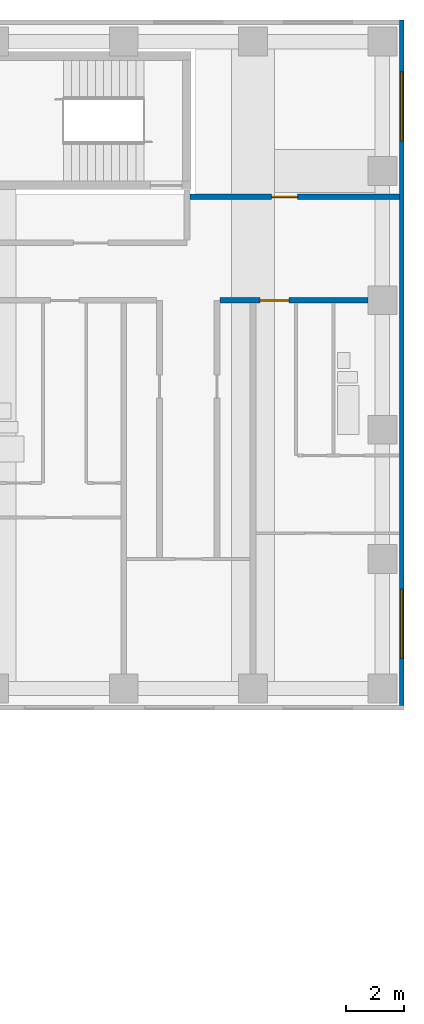
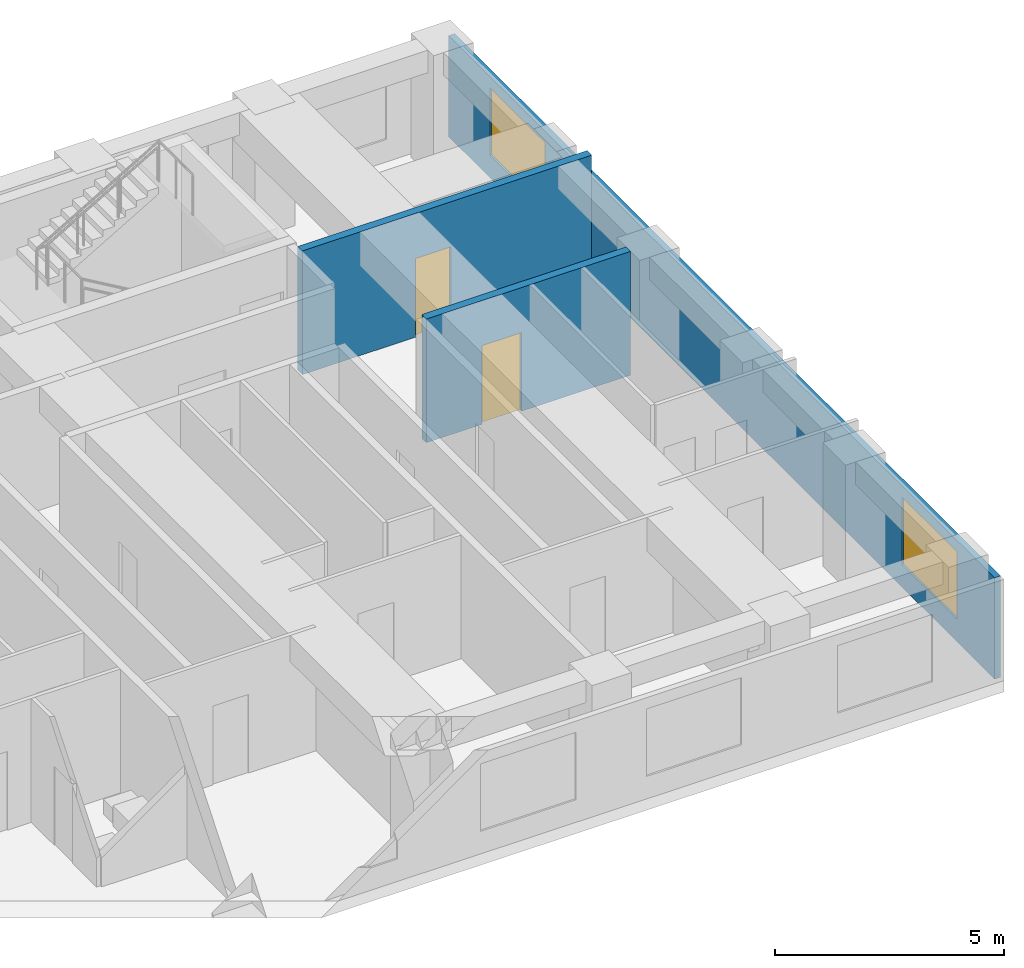
# One storey, part 9 of 12: 3 walls, 2 doors, 2 windows, 4 openings.
"""IFC4 building model written with IfcOpenShell, lengths in metres."""

from ifc_helpers import new_model, si_unit, direction, frame, frame_2d, origin, place, context, subcontext, project, spatial, rectangle, extrude, material, layer, layer_set, type_object, element, fill, save


model = new_model("IFC4")

# Units and contexts
model_context = context("Model", 3, precision=1e-05, world=origin(), true_north=direction((0.0, 1.0)))
body_context = subcontext(model_context, "Body", "Model", "MODEL_VIEW")
ifc_project = project(units=[si_unit("LENGTHUNIT", "METRE"), si_unit("AREAUNIT", "SQUARE_METRE"), si_unit("VOLUMEUNIT", "CUBIC_METRE"), si_unit("PLANEANGLEUNIT", "RADIAN"), si_unit("MASSUNIT", "GRAM", prefix="KILO")], contexts=[model_context])

# Site, building, storey
site_placement = place(None, origin())
site = spatial("IfcSite", under=ifc_project, at=site_placement, CompositionType="ELEMENT")
building_placement = place(site_placement, origin())
building = spatial("IfcBuilding", under=site, at=building_placement, Name="Firuza Court", CompositionType="ELEMENT")
storey_placement = place(building_placement, frame((0.0, 0.0, 123.199951171875)))
storey = spatial("IfcBuildingStorey", under=building, at=storey_placement, Name="L30", CompositionType="ELEMENT", Elevation=123.199951171875)

# Wall, opening, door
ifc_material_1 = material(Name="Blockwork, plastered both sides", Category="masonry")
ifc_layer_1 = layer(ifc_material_1, 0.199951171875)
ifc_layer_set_1 = layer_set([ifc_layer_1], Name="Blockwork, plastered both sides")
wall_type_1 = type_object("IfcWallType", Name="Corridor wall 200", PredefinedType="PARTITIONING", material=ifc_layer_set_1)
wall_1_placement = place(storey_placement, frame((61.85009765625, 49.5, 0.0), z_axis=(0.0, 0.0, 1.0), x_axis=(1.0, 0.0, 0.0)))
wall_1 = element("IfcWall", 1, at=wall_1_placement, inside=storey, type_object=wall_type_1, Name="Corridor wall 200 L30", PredefinedType="PARTITIONING", context=body_context, shape_type="SweptSolid", body=[
    extrude(rectangle(XDim=5.14990234375, YDim=0.199951171875, at=frame_2d((2.574951171875, 0.0))), origin(), (0.0, 0.0, 1.0), 3.300048828125),
])
opening_1_placement = place(wall_1_placement, frame((1.39990234375, 0.0, 0.0)))
opening_1 = element("IfcOpeningElement", 2, at=opening_1_placement, cuts=wall_1, Name="Opening D30070", PredefinedType="OPENING", context=body_context, shape_type="SweptSolid", body=[
    extrude(rectangle(XDim=1.0, YDim=2.10009765625, at=frame_2d((0.5, 1.050048828125))), frame((0.0, 0.11181640625, 0.0), z_axis=(0.0, -1.0, 0.0), x_axis=(1.0, 0.0, 0.0)), (0.0, 0.0, 1.0), 0.223876953125),
])
ifc_material_2 = material(Name="Timber door leaf in hardwood frame", Category="wood")
door_type_1 = type_object("IfcDoorType", Name="Flat entrance door 1000", OperationType="SINGLE_SWING_LEFT", PredefinedType="DOOR", material=ifc_material_2)
door_1_placement = place(opening_1_placement, origin())
door_1 = element("IfcDoor", 3, at=door_1_placement, inside=storey, type_object=door_type_1, Name="Flat entrance door", OperationType="SINGLE_SWING_RIGHT", OverallHeight=2.10009765625, OverallWidth=1.0, PredefinedType="DOOR", context=body_context, shape_type="SweptSolid", body=[
    extrude(rectangle(XDim=1.0, YDim=2.10009765625, at=frame_2d((0.5, 1.050048828125))), frame((0.0, 0.02490234375, 0.0), z_axis=(0.0, -1.0, 0.0), x_axis=(1.0, 0.0, 0.0)), (0.0, 0.0, 1.0), 0.050048828125),
])
fill(opening_1, door_1)

wall_2_placement = place(storey_placement, frame((60.800048828125, 53.10009765625, 0.0), z_axis=(0.0, 0.0, 1.0), x_axis=(1.0, 0.0, 0.0)))
wall_2 = element("IfcWall", 4, at=wall_2_placement, inside=storey, type_object=wall_type_1, Name="Corridor wall 200 L30", PredefinedType="PARTITIONING", context=body_context, shape_type="SweptSolid", body=[
    extrude(rectangle(XDim=7.300048828125, YDim=0.199951171875, at=frame_2d((3.64990234375, 0.0))), origin(), (0.0, 0.0, 1.0), 3.300048828125),
])
opening_2_placement = place(wall_2_placement, frame((2.85009765625, 0.0, 0.0)))
opening_2 = element("IfcOpeningElement", 5, at=opening_2_placement, cuts=wall_2, Name="Opening D30074", PredefinedType="OPENING", context=body_context, shape_type="SweptSolid", body=[
    extrude(rectangle(XDim=0.89990234375, YDim=2.10009765625, at=frame_2d((0.449951171875, 1.050048828125))), frame((0.0, 0.11181640625, 0.0), z_axis=(0.0, -1.0, 0.0), x_axis=(1.0, 0.0, 0.0)), (0.0, 0.0, 1.0), 0.223876953125),
])
ifc_material_3 = material(Name="Timber door leaf in hardwood frame", Category="wood")
door_type_2 = type_object("IfcDoorType", Name="Room door 900 EI 30", OperationType="SINGLE_SWING_LEFT", PredefinedType="DOOR", material=ifc_material_3)
door_2_placement = place(opening_2_placement, origin())
door_2 = element("IfcDoor", 6, at=door_2_placement, inside=storey, type_object=door_type_2, Name="Meeting room door", OperationType="SINGLE_SWING_LEFT", OverallHeight=2.10009765625, OverallWidth=0.89990234375, PredefinedType="DOOR", context=body_context, shape_type="SweptSolid", body=[
    extrude(rectangle(XDim=0.89990234375, YDim=2.10009765625, at=frame_2d((0.449951171875, 1.050048828125))), frame((0.0, 0.02490234375, 0.0), z_axis=(0.0, -1.0, 0.0), x_axis=(1.0, 0.0, 0.0)), (0.0, 0.0, 1.0), 0.050048828125),
])
fill(opening_2, door_2)

# Wall, openings, windows
ifc_material_4 = material(Name="Ceramic tile", Category="ceramic")
ifc_layer_2 = layer(ifc_material_4, 0.02001953125)
ifc_material_5 = material(Name="Mineral wool insulation", Category="insulation")
ifc_layer_3 = layer(ifc_material_5, 0.050048828125)
ifc_material_6 = material(Name="Concrete C40/50 precast", Category="concrete")
ifc_layer_4 = layer(ifc_material_6, 0.080078125)
ifc_layer_set_2 = layer_set([ifc_layer_2, ifc_layer_3, ifc_layer_4], Name="Concrete C40/50 precast")
wall_type_2 = type_object("IfcWallType", Name="Precast cladding wall with turquoise TILE PANEL face 150", PredefinedType="STANDARD", material=ifc_layer_set_2)
wall_3_placement = place(storey_placement, frame((68.175048828125, 35.39990234375, 0.0), z_axis=(0.0, 0.0, 1.0), x_axis=(0.0, 1.0, 0.0)))
wall_3 = element("IfcWall", 7, at=wall_3_placement, inside=storey, type_object=wall_type_2, Name="Facade wall L30 E", PredefinedType="STANDARD", context=body_context, shape_type="SweptSolid", body=[
    extrude(rectangle(XDim=23.85009765625, YDim=0.14990234375, at=frame_2d((11.925048828125, 0.0))), origin(), (0.0, 0.0, 1.0), 2.699951171875),
])
opening_3_placement = place(wall_3_placement, frame((1.64990234375, 0.0, 0.60009765625)))
opening_3 = element("IfcOpeningElement", 8, at=opening_3_placement, cuts=wall_3, Name="Opening W1", PredefinedType="OPENING", context=body_context, shape_type="SweptSolid", body=[
    extrude(rectangle(XDim=2.39990234375, YDim=1.800048828125, at=frame_2d((1.199951171875, 0.89990234375))), frame((0.0, 0.0869140625, 0.0), z_axis=(0.0, -1.0, 0.0), x_axis=(1.0, 0.0, 0.0)), (0.0, 0.0, 1.0), 0.173828125),
])
opening_4_placement = place(wall_3_placement, frame((19.64990234375, 0.0, 0.60009765625)))
opening_4 = element("IfcOpeningElement", 9, at=opening_4_placement, cuts=wall_3, Name="Opening W1", PredefinedType="OPENING", context=body_context, shape_type="SweptSolid", body=[
    extrude(rectangle(XDim=2.39990234375, YDim=1.800048828125, at=frame_2d((1.199951171875, 0.89990234375))), frame((0.0, 0.0869140625, 0.0), z_axis=(0.0, -1.0, 0.0), x_axis=(1.0, 0.0, 0.0)), (0.0, 0.0, 1.0), 0.173828125),
])
ifc_material_7 = material(Name="Aluminium frame, triple clear glazing", Category="aluminium")
window_type = type_object("IfcWindowType", Name="Window W1 2400 x 1800", PartitioningType="SINGLE_PANEL", PredefinedType="WINDOW", material=ifc_material_7)
window_1_placement = place(opening_3_placement, origin())
window_1 = element("IfcWindow", 10, at=window_1_placement, inside=storey, type_object=window_type, Name="Window L30", OverallHeight=1.800048828125, OverallWidth=2.39990234375, PartitioningType="SINGLE_PANEL", PredefinedType="WINDOW", context=body_context, shape_type="SweptSolid", body=[
    extrude(rectangle(XDim=2.39990234375, YDim=1.800048828125, at=frame_2d((1.199951171875, 0.89990234375))), frame((0.0, 0.030029296875, 0.0), z_axis=(0.0, -1.0, 0.0), x_axis=(1.0, 0.0, 0.0)), (0.0, 0.0, 1.0), 0.06005859375),
])
fill(opening_3, window_1)
window_2_placement = place(opening_4_placement, origin())
window_2 = element("IfcWindow", 11, at=window_2_placement, inside=storey, type_object=window_type, Name="Window L30", OverallHeight=1.800048828125, OverallWidth=2.39990234375, PartitioningType="SINGLE_PANEL", PredefinedType="WINDOW", context=body_context, shape_type="SweptSolid", body=[
    extrude(rectangle(XDim=2.39990234375, YDim=1.800048828125, at=frame_2d((1.199951171875, 0.89990234375))), frame((0.0, 0.030029296875, 0.0), z_axis=(0.0, -1.0, 0.0), x_axis=(1.0, 0.0, 0.0)), (0.0, 0.0, 1.0), 0.06005859375),
])
fill(opening_4, window_2)

save(model, "model.ifc")
